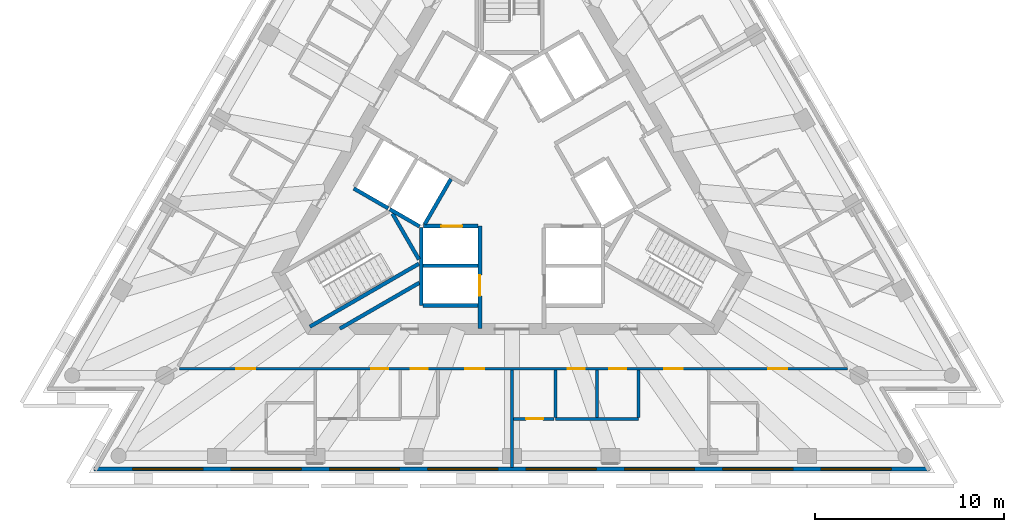
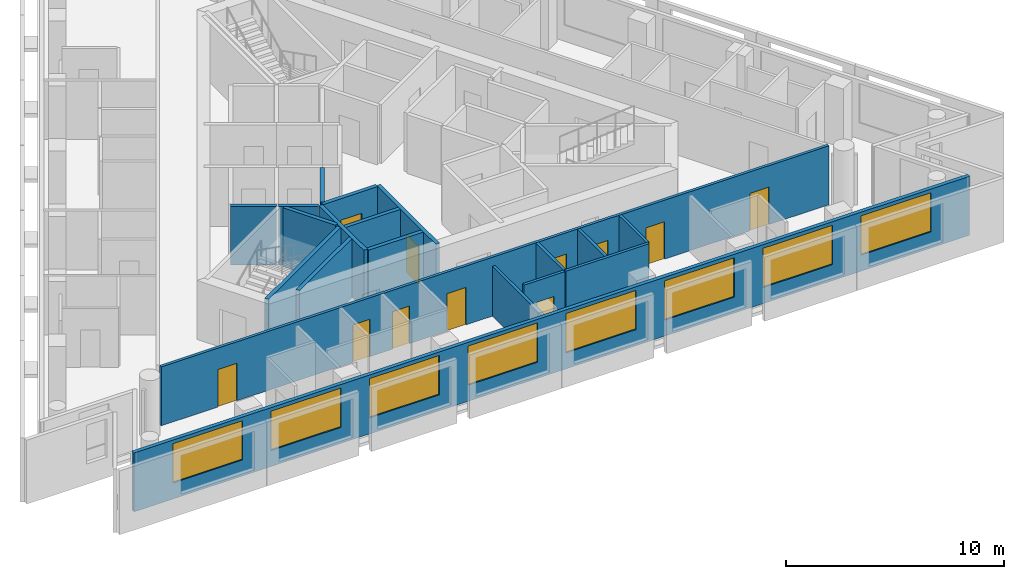
# One storey, part 3 of 10: 19 walls, 11 doors, 8 windows, 19 openings.
"""IFC4 building model written with IfcOpenShell, lengths in metres."""

from ifc_helpers import new_model, si_unit, direction, frame, frame_2d, origin, place, context, subcontext, project, spatial, rectangle, extrude, material, layer, layer_set, layer_usage, type_object, element, fill, save


model = new_model("IFC4")

# Units and contexts
model_context = context("Model", 3, precision=1e-05, world=origin(), true_north=direction((0.0, 1.0)))
body_context = subcontext(model_context, "Body", "Model", "MODEL_VIEW")
ifc_project = project(units=[si_unit("LENGTHUNIT", "METRE"), si_unit("AREAUNIT", "SQUARE_METRE"), si_unit("VOLUMEUNIT", "CUBIC_METRE"), si_unit("PLANEANGLEUNIT", "RADIAN"), si_unit("MASSUNIT", "GRAM", prefix="KILO")], contexts=[model_context])

# Site, building, storey
site_placement = place(None, origin())
site = spatial("IfcSite", under=ifc_project, at=site_placement, CompositionType="ELEMENT")
building_placement = place(site_placement, origin())
building = spatial("IfcBuilding", under=site, at=building_placement, Name="Triada Interchange Tower", CompositionType="ELEMENT")
storey_placement = place(building_placement, frame((0.0, 0.0, 315.10009765625)))
storey = spatial("IfcBuildingStorey", under=building, at=storey_placement, Name="L75", CompositionType="ELEMENT", Elevation=315.10009765625)

# Walls
ifc_material_1 = material(Name="Concrete C30/37", Category="concrete")
ifc_layer_1 = layer(ifc_material_1, 0.199951171875)
ifc_layer_set_1 = layer_set([ifc_layer_1], Name="CORE WALL 200 EI 120")
wall_type_1 = type_object("IfcWallType", Name="CORE WALL 200 EI 120", PredefinedType="SOLIDWALL", material=ifc_layer_set_1)
wall_1_placement = place(storey_placement, frame((-8.3759765625, -0.70703125, 0.0), z_axis=(0.0, 0.0, 1.0), x_axis=(0.866067520717, -0.499927044236, 0.0)))
element("IfcWall", 1, at=wall_1_placement, inside=storey, type_object=wall_type_1, Name="Wall L74 64", PredefinedType="SOLIDWALL", context=body_context, shape_type="SweptSolid", body=[
    extrude(rectangle(XDim=2.100341796875, YDim=0.199951171875, at=frame_2d((1.05029296875, 0.0))), origin(), (0.0, 0.0, 1.0), 3.2998046875),
])
wall_2_placement = place(storey_placement, frame((-4.800048828125, -6.89990234375, 0.0), z_axis=(0.0, 0.0, 1.0), x_axis=(0.0, 1.0, 0.0)))
element("IfcWall", 2, at=wall_2_placement, inside=storey, type_object=wall_type_1, Name="Wall L74 66", PredefinedType="SOLIDWALL", context=body_context, shape_type="SweptSolid", body=[
    extrude(rectangle(XDim=4.130859375, YDim=0.199951171875, at=frame_2d((2.0654296875, 0.0))), origin(), (0.0, 0.0, 1.0), 3.2998046875),
])
for number, where, z_axis, x_axis, name in (
    (3, (-4.699951171875, -6.89990234375, 0.0), (0.0, 0.0, 1.0), (1.0, 0.0, 0.0), "Wall L74 67"),
    (4, (-4.699951171875, -4.800048828125, 0.0), (0.0, 0.0, 1.0), (1.0, 0.0, 0.0), "Wall L74 69"),
):
    element("IfcWall", number, at=place(storey_placement, frame(where, z_axis=z_axis, x_axis=x_axis)), inside=storey, type_object=wall_type_1, Name=name, PredefinedType="SOLIDWALL", context=body_context, shape_type="SweptSolid", body=[
        extrude(rectangle(XDim=2.89990234375, YDim=0.199951171875, at=frame_2d((1.449951171875, 0.0))), origin(), (0.0, 0.0, 1.0), 3.2998046875),
    ])

# Wall, opening, door
wall_3_placement = place(storey_placement, frame((-1.699951171875, -8.1298828125, 0.0), z_axis=(0.0, 0.0, 1.0), x_axis=(0.0, 1.0, 0.0)))
wall_3 = element("IfcWall", 5, at=wall_3_placement, inside=storey, type_object=wall_type_1, Name="Wall L74 71", PredefinedType="SOLIDWALL", context=body_context, shape_type="SweptSolid", body=[
    extrude(rectangle(XDim=5.427001953125, YDim=0.199951171875, at=frame_2d((2.71337890625, 0.0))), origin(), (0.0, 0.0, 1.0), 3.2998046875),
])
opening_1_placement = place(wall_3_placement, frame((1.72998046875, 0.0, 0.0)))
opening_1 = element("IfcOpeningElement", 6, at=opening_1_placement, cuts=wall_3, Name="Opening LD-HR4", PredefinedType="OPENING", context=body_context, shape_type="SweptSolid", body=[
    extrude(rectangle(XDim=1.10009765625, YDim=2.10009765625, at=frame_2d((0.550048828125, 1.050048828125))), frame((0.0, 0.10986328125, 0.0), z_axis=(0.0, -1.0, 0.0), x_axis=(1.0, 0.0, 0.0)), (0.0, 0.0, 1.0), 0.219970703125),
])
ifc_material_2 = material(Name="Steel S235 door leaf", Category="steel")
door_type_1 = type_object("IfcDoorType", Name="LIFT LANDING DOOR 1100 EI 120", OperationType="SLIDING_TO_LEFT", PredefinedType="DOOR", material=ifc_material_2)
door_1_placement = place(opening_1_placement, origin())
door_1 = element("IfcDoor", 7, at=door_1_placement, inside=storey, type_object=door_type_1, Name="HR4 landing door L75", OperationType="SLIDING_TO_LEFT", OverallHeight=2.10009765625, OverallWidth=1.10009765625, PredefinedType="DOOR", context=body_context, shape_type="SweptSolid", body=[
    extrude(rectangle(XDim=1.10009765625, YDim=2.10009765625, at=frame_2d((0.550048828125, 1.050048828125))), frame((0.0, 0.02490234375, 0.0), z_axis=(0.0, -1.0, 0.0), x_axis=(1.0, 0.0, 0.0)), (0.0, 0.0, 1.0), 0.050048828125),
])
fill(opening_1, door_1)

wall_4_placement = place(storey_placement, frame((-4.676025390625, -2.699951171875, 0.0), z_axis=(0.0, 0.0, 1.0), x_axis=(1.0, 0.0, 0.0)))
wall_4 = element("IfcWall", 8, at=wall_4_placement, inside=storey, type_object=wall_type_1, Name="Wall L74 72", PredefinedType="SOLIDWALL", context=body_context, shape_type="SweptSolid", body=[
    extrude(rectangle(XDim=2.873046875, YDim=0.199951171875, at=frame_2d((1.4365234375, 0.0))), origin(), (0.0, 0.0, 1.0), 3.2998046875),
])
opening_2_placement = place(wall_4_placement, frame((0.93701171875, 0.0, 0.0)))
opening_2 = element("IfcOpeningElement", 9, at=opening_2_placement, cuts=wall_4, Name="Opening LD-HR3", PredefinedType="OPENING", context=body_context, shape_type="SweptSolid", body=[
    extrude(rectangle(XDim=1.10009765625, YDim=2.10009765625, at=frame_2d((0.550048828125, 1.050048828125))), frame((0.0, 0.10986328125, 0.0), z_axis=(0.0, -1.0, 0.0), x_axis=(1.0, 0.0, 0.0)), (0.0, 0.0, 1.0), 0.219970703125),
])
door_2_placement = place(opening_2_placement, origin())
door_2 = element("IfcDoor", 10, at=door_2_placement, inside=storey, type_object=door_type_1, Name="HR3 landing door L75", OperationType="SLIDING_TO_LEFT", OverallHeight=2.10009765625, OverallWidth=1.10009765625, PredefinedType="DOOR", context=body_context, shape_type="SweptSolid", body=[
    extrude(rectangle(XDim=1.10009765625, YDim=2.10009765625, at=frame_2d((0.550048828125, 1.050048828125))), frame((0.0, 0.02490234375, 0.0), z_axis=(0.0, -1.0, 0.0), x_axis=(1.0, 0.0, 0.0)), (0.0, 0.0, 1.0), 0.050048828125),
])
fill(opening_2, door_2)

# Walls
ifc_layer_2 = layer(ifc_material_1, 0.199951171875)
ifc_layer_set_2 = layer_set([ifc_layer_2], Name="CORE WALL 200 EI 180")
wall_type_2 = type_object("IfcWallType", Name="CORE WALL 200 EI 180", PredefinedType="SOLIDWALL", material=ifc_layer_set_2)
wall_5_placement = place(storey_placement, frame((-6.469970703125, -1.806884765625, 0.0), z_axis=(0.0, 0.0, 1.0), x_axis=(0.865883195159, -0.500246231712, 0.0)))
element("IfcWall", 11, at=wall_5_placement, inside=storey, type_object=wall_type_2, Name="Shaft wall FF1 L74 97", PredefinedType="SOLIDWALL", context=body_context, shape_type="SweptSolid", body=[
    extrude(rectangle(XDim=1.8154296875, YDim=0.199951171875, at=frame_2d((0.90771484375, 0.0))), origin(), (0.0, 0.0, 1.0), 3.2998046875),
])
wall_6_placement = place(storey_placement, frame((-4.618896484375, -2.60009765625, 0.0), z_axis=(0.0, 0.0, 1.0), x_axis=(0.50009492287, 0.865970593103, 0.0)))
element("IfcWall", 12, at=wall_6_placement, inside=storey, type_object=wall_type_2, Name="Shaft wall FF1 L74 99", PredefinedType="SOLIDWALL", context=body_context, shape_type="SweptSolid", body=[
    extrude(rectangle(XDim=2.76123046875, YDim=0.199951171875, at=frame_2d((1.380615234375, 0.0))), origin(), (0.0, 0.0, 1.0), 3.2998046875),
])
ifc_layer_3 = layer(ifc_material_1, 0.199951171875)
ifc_layer_set_3 = layer_set([ifc_layer_3], Name="CORE WALL 200 EI 90")
wall_type_3 = type_object("IfcWallType", Name="CORE WALL 200 EI 90", PredefinedType="SOLIDWALL", material=ifc_layer_set_3)
wall_7_placement = place(storey_placement, frame((-9.114990234375, -8.1298828125, 0.0), z_axis=(0.0, 0.0, 1.0), x_axis=(0.866002649306, 0.500039409842, 0.0)))
element("IfcWall", 13, at=wall_7_placement, inside=storey, type_object=wall_type_3, Name="Wall L74 104", PredefinedType="SOLIDWALL", context=body_context, shape_type="SweptSolid", body=[
    extrude(rectangle(XDim=4.8671875, YDim=0.199951171875, at=frame_2d((2.43359375, 0.0))), origin(), (0.0, 0.0, 1.0), 3.2998046875),
])
ifc_layer_4 = layer(ifc_material_1, 0.199951171875)
ifc_layer_set_4 = layer_set([ifc_layer_4], Name="CORE WALL 200 REI 240")
wall_type_4 = type_object("IfcWallType", Name="CORE WALL 200 REI 240", PredefinedType="SOLIDWALL", material=ifc_layer_set_4)
wall_8_placement = place(storey_placement, frame((-6.3291015625, -2.0380859375, 0.0), z_axis=(0.0, 0.0, 1.0), x_axis=(0.500200581029, -0.865909567298, 0.0)))
element("IfcWall", 14, at=wall_8_placement, inside=storey, type_object=wall_type_4, Name="Wall L74 111", PredefinedType="SOLIDWALL", context=body_context, shape_type="SweptSolid", body=[
    extrude(rectangle(XDim=2.799072265625, YDim=0.199951171875, at=frame_2d((1.3994140625, 0.0))), origin(), (0.0, 0.0, 1.0), 3.2998046875),
])
wall_9_placement = place(storey_placement, frame((-10.700927734375, -8.02587890625, 0.0), z_axis=(0.0, 0.0, 1.0), x_axis=(0.866005022404, 0.500035299925, 0.0)))
element("IfcWall", 15, at=wall_9_placement, inside=storey, type_object=wall_type_4, Name="Wall L74 112", PredefinedType="SOLIDWALL", context=body_context, shape_type="SweptSolid", body=[
    extrude(rectangle(XDim=6.6650390625, YDim=0.199951171875, at=frame_2d((3.33251953125, 0.0))), origin(), (0.0, 0.0, 1.0), 3.2998046875),
])

# Wall, openings, windows
ifc_material_3 = material(Name="Cement board")
ifc_layer_5 = layer(ifc_material_3, 0.02001953125, Name="Cement board cladding")
ifc_material_4 = material(Name="Sheathing board")
ifc_layer_6 = layer(ifc_material_4, 0.014892578125, Name="Sheathing board")
ifc_material_5 = material(Name="Mineral wool")
ifc_layer_7 = layer(ifc_material_5, 0.14990234375, Name="Mineral wool between steel studs")
ifc_material_6 = material(Name="Gypsum board")
ifc_layer_8 = layer(ifc_material_6, 0.014892578125, Name="Plasterboard lining")
ifc_layer_set_5 = layer_set([ifc_layer_5, ifc_layer_6, ifc_layer_7, ifc_layer_8], Name="External wall 200")
ifc_layer_usage = layer_usage(ifc_layer_set_5, "AXIS2", "POSITIVE", -0.10009765625)
wall_type_5 = type_object("IfcWallType", Name="External wall 200", PredefinedType="ELEMENTEDWALL", material=ifc_layer_set_5)
wall_10_placement = place(storey_placement, frame((-22.132080078125, -15.56298828125, 0.0), z_axis=(0.0, 0.0, 1.0), x_axis=(1.0, 0.0, 0.0)))
wall_10 = element("IfcWall", 16, at=wall_10_placement, inside=storey, type_object=wall_type_5, material=ifc_layer_usage, Name="External wall L75 S", PredefinedType="ELEMENTEDWALL", context=body_context, shape_type="SweptSolid", body=[
    extrude(rectangle(XDim=44.244140625, YDim=0.199951171875, at=frame_2d((22.1220703125, 0.0))), origin(), (0.0, 0.0, 1.0), 3.2998046875),
])
opening_3_placement = place(wall_10_placement, frame((2.056884765625, 0.0, 0.89990234375)))
opening_3 = element("IfcOpeningElement", 17, at=opening_3_placement, cuts=wall_10, Name="Opening WD11", PredefinedType="OPENING", context=body_context, shape_type="SweptSolid", body=[
    extrude(rectangle(XDim=3.699951171875, YDim=2.199951171875, at=frame_2d((1.85009765625, 1.10009765625))), frame((0.0, 0.10986328125, 0.0), z_axis=(0.0, -1.0, 0.0), x_axis=(1.0, 0.0, 0.0)), (0.0, 0.0, 1.0), 0.219970703125),
])
opening_4_placement = place(wall_10_placement, frame((7.263916015625, 0.0, 0.89990234375)))
opening_4 = element("IfcOpeningElement", 18, at=opening_4_placement, cuts=wall_10, Name="Opening WD12", PredefinedType="OPENING", context=body_context, shape_type="SweptSolid", body=[
    extrude(rectangle(XDim=3.699951171875, YDim=2.199951171875, at=frame_2d((1.85009765625, 1.10009765625))), frame((0.0, 0.10986328125, 0.0), z_axis=(0.0, -1.0, 0.0), x_axis=(1.0, 0.0, 0.0)), (0.0, 0.0, 1.0), 0.219970703125),
])
opening_5_placement = place(wall_10_placement, frame((12.470947265625, 0.0, 0.89990234375)))
opening_5 = element("IfcOpeningElement", 19, at=opening_5_placement, cuts=wall_10, Name="Opening WD13", PredefinedType="OPENING", context=body_context, shape_type="SweptSolid", body=[
    extrude(rectangle(XDim=3.699951171875, YDim=2.199951171875, at=frame_2d((1.85009765625, 1.10009765625))), frame((0.0, 0.10986328125, 0.0), z_axis=(0.0, -1.0, 0.0), x_axis=(1.0, 0.0, 0.0)), (0.0, 0.0, 1.0), 0.219970703125),
])
opening_6_placement = place(wall_10_placement, frame((17.677978515625, 0.0, 0.89990234375)))
opening_6 = element("IfcOpeningElement", 20, at=opening_6_placement, cuts=wall_10, Name="Opening WD14", PredefinedType="OPENING", context=body_context, shape_type="SweptSolid", body=[
    extrude(rectangle(XDim=3.699951171875, YDim=2.199951171875, at=frame_2d((1.85009765625, 1.10009765625))), frame((0.0, 0.10986328125, 0.0), z_axis=(0.0, -1.0, 0.0), x_axis=(1.0, 0.0, 0.0)), (0.0, 0.0, 1.0), 0.219970703125),
])
opening_7_placement = place(wall_10_placement, frame((22.885986328125, 0.0, 0.89990234375)))
opening_7 = element("IfcOpeningElement", 21, at=opening_7_placement, cuts=wall_10, Name="Opening WD15", PredefinedType="OPENING", context=body_context, shape_type="SweptSolid", body=[
    extrude(rectangle(XDim=3.699951171875, YDim=2.199951171875, at=frame_2d((1.85009765625, 1.10009765625))), frame((0.0, 0.10986328125, 0.0), z_axis=(0.0, -1.0, 0.0), x_axis=(1.0, 0.0, 0.0)), (0.0, 0.0, 1.0), 0.219970703125),
])
opening_8_placement = place(wall_10_placement, frame((28.093017578125, 0.0, 0.89990234375)))
opening_8 = element("IfcOpeningElement", 22, at=opening_8_placement, cuts=wall_10, Name="Opening WD16", PredefinedType="OPENING", context=body_context, shape_type="SweptSolid", body=[
    extrude(rectangle(XDim=3.699951171875, YDim=2.199951171875, at=frame_2d((1.85009765625, 1.10009765625))), frame((0.0, 0.10986328125, 0.0), z_axis=(0.0, -1.0, 0.0), x_axis=(1.0, 0.0, 0.0)), (0.0, 0.0, 1.0), 0.219970703125),
])
opening_9_placement = place(wall_10_placement, frame((33.300048828125, 0.0, 0.89990234375)))
opening_9 = element("IfcOpeningElement", 23, at=opening_9_placement, cuts=wall_10, Name="Opening WD17", PredefinedType="OPENING", context=body_context, shape_type="SweptSolid", body=[
    extrude(rectangle(XDim=3.699951171875, YDim=2.199951171875, at=frame_2d((1.85009765625, 1.10009765625))), frame((0.0, 0.10986328125, 0.0), z_axis=(0.0, -1.0, 0.0), x_axis=(1.0, 0.0, 0.0)), (0.0, 0.0, 1.0), 0.219970703125),
])
opening_10_placement = place(wall_10_placement, frame((38.507080078125, 0.0, 0.89990234375)))
opening_10 = element("IfcOpeningElement", 24, at=opening_10_placement, cuts=wall_10, Name="Opening WD18", PredefinedType="OPENING", context=body_context, shape_type="SweptSolid", body=[
    extrude(rectangle(XDim=3.699951171875, YDim=2.199951171875, at=frame_2d((1.85009765625, 1.10009765625))), frame((0.0, 0.10986328125, 0.0), z_axis=(0.0, -1.0, 0.0), x_axis=(1.0, 0.0, 0.0)), (0.0, 0.0, 1.0), 0.219970703125),
])
ifc_material_7 = material(Name="Double glazed aluminium window", Category="aluminium")
window_type = type_object("IfcWindowType", Name="Ribbon window D face", PartitioningType="SINGLE_PANEL", PredefinedType="WINDOW", material=ifc_material_7)
window_1_placement = place(opening_3_placement, origin())
window_1 = element("IfcWindow", 25, at=window_1_placement, inside=storey, type_object=window_type, Name="Window L75 S 1", OverallHeight=2.199951171875, OverallWidth=3.699951171875, PartitioningType="SINGLE_PANEL", PredefinedType="WINDOW", context=body_context, shape_type="SweptSolid", body=[
    extrude(rectangle(XDim=3.699951171875, YDim=2.199951171875, at=frame_2d((1.85009765625, 1.10009765625))), frame((0.0, 0.030029296875, 0.0), z_axis=(0.0, -1.0, 0.0), x_axis=(1.0, 0.0, 0.0)), (0.0, 0.0, 1.0), 0.06005859375),
])
fill(opening_3, window_1)
window_2_placement = place(opening_4_placement, origin())
window_2 = element("IfcWindow", 26, at=window_2_placement, inside=storey, type_object=window_type, Name="Window L75 S 2", OverallHeight=2.199951171875, OverallWidth=3.699951171875, PartitioningType="SINGLE_PANEL", PredefinedType="WINDOW", context=body_context, shape_type="SweptSolid", body=[
    extrude(rectangle(XDim=3.699951171875, YDim=2.199951171875, at=frame_2d((1.85009765625, 1.10009765625))), frame((0.0, 0.030029296875, 0.0), z_axis=(0.0, -1.0, 0.0), x_axis=(1.0, 0.0, 0.0)), (0.0, 0.0, 1.0), 0.06005859375),
])
fill(opening_4, window_2)
window_3_placement = place(opening_5_placement, origin())
window_3 = element("IfcWindow", 27, at=window_3_placement, inside=storey, type_object=window_type, Name="Window L75 S 3", OverallHeight=2.199951171875, OverallWidth=3.699951171875, PartitioningType="SINGLE_PANEL", PredefinedType="WINDOW", context=body_context, shape_type="SweptSolid", body=[
    extrude(rectangle(XDim=3.699951171875, YDim=2.199951171875, at=frame_2d((1.85009765625, 1.10009765625))), frame((0.0, 0.030029296875, 0.0), z_axis=(0.0, -1.0, 0.0), x_axis=(1.0, 0.0, 0.0)), (0.0, 0.0, 1.0), 0.06005859375),
])
fill(opening_5, window_3)
window_4_placement = place(opening_6_placement, origin())
window_4 = element("IfcWindow", 28, at=window_4_placement, inside=storey, type_object=window_type, Name="Window L75 S 4", OverallHeight=2.199951171875, OverallWidth=3.699951171875, PartitioningType="SINGLE_PANEL", PredefinedType="WINDOW", context=body_context, shape_type="SweptSolid", body=[
    extrude(rectangle(XDim=3.699951171875, YDim=2.199951171875, at=frame_2d((1.85009765625, 1.10009765625))), frame((0.0, 0.030029296875, 0.0), z_axis=(0.0, -1.0, 0.0), x_axis=(1.0, 0.0, 0.0)), (0.0, 0.0, 1.0), 0.06005859375),
])
fill(opening_6, window_4)
window_5_placement = place(opening_7_placement, origin())
window_5 = element("IfcWindow", 29, at=window_5_placement, inside=storey, type_object=window_type, Name="Window L75 S 5", OverallHeight=2.199951171875, OverallWidth=3.699951171875, PartitioningType="SINGLE_PANEL", PredefinedType="WINDOW", context=body_context, shape_type="SweptSolid", body=[
    extrude(rectangle(XDim=3.699951171875, YDim=2.199951171875, at=frame_2d((1.85009765625, 1.10009765625))), frame((0.0, 0.030029296875, 0.0), z_axis=(0.0, -1.0, 0.0), x_axis=(1.0, 0.0, 0.0)), (0.0, 0.0, 1.0), 0.06005859375),
])
fill(opening_7, window_5)
window_6_placement = place(opening_8_placement, origin())
window_6 = element("IfcWindow", 30, at=window_6_placement, inside=storey, type_object=window_type, Name="Window L75 S 6", OverallHeight=2.199951171875, OverallWidth=3.699951171875, PartitioningType="SINGLE_PANEL", PredefinedType="WINDOW", context=body_context, shape_type="SweptSolid", body=[
    extrude(rectangle(XDim=3.699951171875, YDim=2.199951171875, at=frame_2d((1.85009765625, 1.10009765625))), frame((0.0, 0.030029296875, 0.0), z_axis=(0.0, -1.0, 0.0), x_axis=(1.0, 0.0, 0.0)), (0.0, 0.0, 1.0), 0.06005859375),
])
fill(opening_8, window_6)
window_7_placement = place(opening_9_placement, origin())
window_7 = element("IfcWindow", 31, at=window_7_placement, inside=storey, type_object=window_type, Name="Window L75 S 7", OverallHeight=2.199951171875, OverallWidth=3.699951171875, PartitioningType="SINGLE_PANEL", PredefinedType="WINDOW", context=body_context, shape_type="SweptSolid", body=[
    extrude(rectangle(XDim=3.699951171875, YDim=2.199951171875, at=frame_2d((1.85009765625, 1.10009765625))), frame((0.0, 0.030029296875, 0.0), z_axis=(0.0, -1.0, 0.0), x_axis=(1.0, 0.0, 0.0)), (0.0, 0.0, 1.0), 0.06005859375),
])
fill(opening_9, window_7)
window_8_placement = place(opening_10_placement, origin())
window_8 = element("IfcWindow", 32, at=window_8_placement, inside=storey, type_object=window_type, Name="Window L75 S 8", OverallHeight=2.199951171875, OverallWidth=3.699951171875, PartitioningType="SINGLE_PANEL", PredefinedType="WINDOW", context=body_context, shape_type="SweptSolid", body=[
    extrude(rectangle(XDim=3.699951171875, YDim=2.199951171875, at=frame_2d((1.85009765625, 1.10009765625))), frame((0.0, 0.030029296875, 0.0), z_axis=(0.0, -1.0, 0.0), x_axis=(1.0, 0.0, 0.0)), (0.0, 0.0, 1.0), 0.06005859375),
])
fill(opening_10, window_8)

# Wall, openings, doors
ifc_material_8 = material(Name="Gypsum board partition")
ifc_layer_9 = layer(ifc_material_8, 0.14990234375)
ifc_layer_set_6 = layer_set([ifc_layer_9], Name="PARTITION 150 EI 180")
wall_type_6 = type_object("IfcWallType", Name="PARTITION 150 EI 180", PredefinedType="PARTITIONING", material=ifc_layer_set_6)
wall_11_placement = place(storey_placement, frame((-17.60400390625, -10.25, 0.0), z_axis=(0.0, 0.0, 1.0), x_axis=(1.0, 0.0, 0.0)))
wall_11 = element("IfcWall", 33, at=wall_11_placement, inside=storey, type_object=wall_type_6, Name="Wall L74 5", PredefinedType="PARTITIONING", context=body_context, shape_type="SweptSolid", body=[
    extrude(rectangle(XDim=35.35791015625, YDim=0.14990234375, at=frame_2d((17.678955078125, 0.0))), origin(), (0.0, 0.0, 1.0), 3.2998046875),
])
opening_11_placement = place(wall_11_placement, frame((3.0, 0.0, 0.0)))
opening_11 = element("IfcOpeningElement", 34, at=opening_11_placement, cuts=wall_11, Name="Opening D74-11", PredefinedType="OPENING", context=body_context, shape_type="SweptSolid", body=[
    extrude(rectangle(XDim=1.0, YDim=2.10009765625, at=frame_2d((0.5, 1.050048828125))), frame((0.0, 0.0849609375, 0.0), z_axis=(0.0, -1.0, 0.0), x_axis=(1.0, 0.0, 0.0)), (0.0, 0.0, 1.0), 0.169921875),
])
opening_12_placement = place(wall_11_placement, frame((15.139892578125, 0.0, 0.0)))
opening_12 = element("IfcOpeningElement", 35, at=opening_12_placement, cuts=wall_11, Name="Opening D74-13", PredefinedType="OPENING", context=body_context, shape_type="SweptSolid", body=[
    extrude(rectangle(XDim=1.0, YDim=2.10009765625, at=frame_2d((0.5, 1.050048828125))), frame((0.0, 0.0849609375, 0.0), z_axis=(0.0, -1.0, 0.0), x_axis=(1.0, 0.0, 0.0)), (0.0, 0.0, 1.0), 0.169921875),
])
opening_13_placement = place(wall_11_placement, frame((10.139892578125, 0.0, 0.0)))
opening_13 = element("IfcOpeningElement", 36, at=opening_13_placement, cuts=wall_11, Name="Opening D74-15", PredefinedType="OPENING", context=body_context, shape_type="SweptSolid", body=[
    extrude(rectangle(XDim=0.89990234375, YDim=2.10009765625, at=frame_2d((0.449951171875, 1.050048828125))), frame((0.0, 0.0849609375, 0.0), z_axis=(0.0, -1.0, 0.0), x_axis=(1.0, 0.0, 0.0)), (0.0, 0.0, 1.0), 0.169921875),
])
opening_14_placement = place(wall_11_placement, frame((12.239990234375, 0.0, 0.0)))
opening_14 = element("IfcOpeningElement", 37, at=opening_14_placement, cuts=wall_11, Name="Opening D74-16", PredefinedType="OPENING", context=body_context, shape_type="SweptSolid", body=[
    extrude(rectangle(XDim=0.89990234375, YDim=2.10009765625, at=frame_2d((0.449951171875, 1.050048828125))), frame((0.0, 0.0849609375, 0.0), z_axis=(0.0, -1.0, 0.0), x_axis=(1.0, 0.0, 0.0)), (0.0, 0.0, 1.0), 0.169921875),
])
opening_15_placement = place(wall_11_placement, frame((25.654052734375, 0.0, 0.0)))
opening_15 = element("IfcOpeningElement", 38, at=opening_15_placement, cuts=wall_11, Name="Opening D74-17", PredefinedType="OPENING", context=body_context, shape_type="SweptSolid", body=[
    extrude(rectangle(XDim=1.0, YDim=2.10009765625, at=frame_2d((0.5, 1.050048828125))), frame((0.0, 0.0849609375, 0.0), z_axis=(0.0, -1.0, 0.0), x_axis=(1.0, 0.0, 0.0)), (0.0, 0.0, 1.0), 0.169921875),
])
opening_16_placement = place(wall_11_placement, frame((20.553955078125, 0.0, 0.0)))
opening_16 = element("IfcOpeningElement", 39, at=opening_16_placement, cuts=wall_11, Name="Opening D74-19", PredefinedType="OPENING", context=body_context, shape_type="SweptSolid", body=[
    extrude(rectangle(XDim=0.89990234375, YDim=2.10009765625, at=frame_2d((0.449951171875, 1.050048828125))), frame((0.0, 0.0849609375, 0.0), z_axis=(0.0, -1.0, 0.0), x_axis=(1.0, 0.0, 0.0)), (0.0, 0.0, 1.0), 0.169921875),
])
opening_17_placement = place(wall_11_placement, frame((22.75390625, 0.0, 0.0)))
opening_17 = element("IfcOpeningElement", 40, at=opening_17_placement, cuts=wall_11, Name="Opening D74-20", PredefinedType="OPENING", context=body_context, shape_type="SweptSolid", body=[
    extrude(rectangle(XDim=0.89990234375, YDim=2.10009765625, at=frame_2d((0.449951171875, 1.050048828125))), frame((0.0, 0.0849609375, 0.0), z_axis=(0.0, -1.0, 0.0), x_axis=(1.0, 0.0, 0.0)), (0.0, 0.0, 1.0), 0.169921875),
])
opening_18_placement = place(wall_11_placement, frame((31.16796875, 0.0, 0.0)))
opening_18 = element("IfcOpeningElement", 41, at=opening_18_placement, cuts=wall_11, Name="Opening D74-21", PredefinedType="OPENING", context=body_context, shape_type="SweptSolid", body=[
    extrude(rectangle(XDim=1.0, YDim=2.10009765625, at=frame_2d((0.5, 1.050048828125))), frame((0.0, 0.0849609375, 0.0), z_axis=(0.0, -1.0, 0.0), x_axis=(1.0, 0.0, 0.0)), (0.0, 0.0, 1.0), 0.169921875),
])
door_type_2 = type_object("IfcDoorType", Name="GUEST ROOM DOOR 1000 EI2 90-C5S200", OperationType="NOTDEFINED", PredefinedType="DOOR", material=ifc_material_2)
door_3_placement = place(opening_11_placement, origin())
door_3 = element("IfcDoor", 42, at=door_3_placement, inside=storey, type_object=door_type_2, Name="Door D74-11 L75", OperationType="SINGLE_SWING_RIGHT", OverallHeight=2.10009765625, OverallWidth=1.0, PredefinedType="DOOR", context=body_context, shape_type="SweptSolid", body=[
    extrude(rectangle(XDim=1.0, YDim=2.10009765625, at=frame_2d((0.5, 1.050048828125))), frame((0.0, 0.02490234375, 0.0), z_axis=(0.0, -1.0, 0.0), x_axis=(1.0, 0.0, 0.0)), (0.0, 0.0, 1.0), 0.050048828125),
])
fill(opening_11, door_3)
door_4_placement = place(opening_12_placement, origin())
door_4 = element("IfcDoor", 43, at=door_4_placement, inside=storey, type_object=door_type_2, Name="Door D74-13 L75", OperationType="SINGLE_SWING_LEFT", OverallHeight=2.10009765625, OverallWidth=1.0, PredefinedType="DOOR", context=body_context, shape_type="SweptSolid", body=[
    extrude(rectangle(XDim=1.0, YDim=2.10009765625, at=frame_2d((0.5, 1.050048828125))), frame((0.0, 0.02490234375, 0.0), z_axis=(0.0, -1.0, 0.0), x_axis=(1.0, 0.0, 0.0)), (0.0, 0.0, 1.0), 0.050048828125),
])
fill(opening_12, door_4)
door_5_placement = place(opening_15_placement, origin())
door_5 = element("IfcDoor", 44, at=door_5_placement, inside=storey, type_object=door_type_2, Name="Door D74-17 L75", OperationType="SINGLE_SWING_LEFT", OverallHeight=2.10009765625, OverallWidth=1.0, PredefinedType="DOOR", context=body_context, shape_type="SweptSolid", body=[
    extrude(rectangle(XDim=1.0, YDim=2.10009765625, at=frame_2d((0.5, 1.050048828125))), frame((0.0, 0.02490234375, 0.0), z_axis=(0.0, -1.0, 0.0), x_axis=(1.0, 0.0, 0.0)), (0.0, 0.0, 1.0), 0.050048828125),
])
fill(opening_15, door_5)
door_6_placement = place(opening_18_placement, origin())
door_6 = element("IfcDoor", 45, at=door_6_placement, inside=storey, type_object=door_type_2, Name="Door D74-21 L75", OperationType="SINGLE_SWING_LEFT", OverallHeight=2.10009765625, OverallWidth=1.0, PredefinedType="DOOR", context=body_context, shape_type="SweptSolid", body=[
    extrude(rectangle(XDim=1.0, YDim=2.10009765625, at=frame_2d((0.5, 1.050048828125))), frame((0.0, 0.02490234375, 0.0), z_axis=(0.0, -1.0, 0.0), x_axis=(1.0, 0.0, 0.0)), (0.0, 0.0, 1.0), 0.050048828125),
])
fill(opening_18, door_6)
door_type_3 = type_object("IfcDoorType", Name="ROOM DOOR 900 EI2 90-C5S200", OperationType="NOTDEFINED", PredefinedType="DOOR", material=ifc_material_2)
door_7_placement = place(opening_14_placement, origin())
door_7 = element("IfcDoor", 46, at=door_7_placement, inside=storey, type_object=door_type_3, Name="Door D74-16 L75", OperationType="SINGLE_SWING_RIGHT", OverallHeight=2.10009765625, OverallWidth=0.89990234375, PredefinedType="DOOR", context=body_context, shape_type="SweptSolid", body=[
    extrude(rectangle(XDim=0.89990234375, YDim=2.10009765625, at=frame_2d((0.449951171875, 1.050048828125))), frame((0.0, 0.02490234375, 0.0), z_axis=(0.0, -1.0, 0.0), x_axis=(1.0, 0.0, 0.0)), (0.0, 0.0, 1.0), 0.050048828125),
])
fill(opening_14, door_7)
door_8_placement = place(opening_17_placement, origin())
door_8 = element("IfcDoor", 47, at=door_8_placement, inside=storey, type_object=door_type_3, Name="Door D74-20 L75", OperationType="SINGLE_SWING_RIGHT", OverallHeight=2.10009765625, OverallWidth=0.89990234375, PredefinedType="DOOR", context=body_context, shape_type="SweptSolid", body=[
    extrude(rectangle(XDim=0.89990234375, YDim=2.10009765625, at=frame_2d((0.449951171875, 1.050048828125))), frame((0.0, 0.02490234375, 0.0), z_axis=(0.0, -1.0, 0.0), x_axis=(1.0, 0.0, 0.0)), (0.0, 0.0, 1.0), 0.050048828125),
])
fill(opening_17, door_8)
door_type_4 = type_object("IfcDoorType", Name="SERVICE DOOR 900 EI2 90-C5S200", OperationType="NOTDEFINED", PredefinedType="DOOR", material=ifc_material_2)
door_9_placement = place(opening_13_placement, origin())
door_9 = element("IfcDoor", 48, at=door_9_placement, inside=storey, type_object=door_type_4, Name="Door D74-15 L75", OperationType="SINGLE_SWING_RIGHT", OverallHeight=2.10009765625, OverallWidth=0.89990234375, PredefinedType="DOOR", context=body_context, shape_type="SweptSolid", body=[
    extrude(rectangle(XDim=0.89990234375, YDim=2.10009765625, at=frame_2d((0.449951171875, 1.050048828125))), frame((0.0, 0.02490234375, 0.0), z_axis=(0.0, -1.0, 0.0), x_axis=(1.0, 0.0, 0.0)), (0.0, 0.0, 1.0), 0.050048828125),
])
fill(opening_13, door_9)
door_10_placement = place(opening_16_placement, origin())
door_10 = element("IfcDoor", 49, at=door_10_placement, inside=storey, type_object=door_type_4, Name="Door D74-19 L75", OperationType="SINGLE_SWING_RIGHT", OverallHeight=2.10009765625, OverallWidth=0.89990234375, PredefinedType="DOOR", context=body_context, shape_type="SweptSolid", body=[
    extrude(rectangle(XDim=0.89990234375, YDim=2.10009765625, at=frame_2d((0.449951171875, 1.050048828125))), frame((0.0, 0.02490234375, 0.0), z_axis=(0.0, -1.0, 0.0), x_axis=(1.0, 0.0, 0.0)), (0.0, 0.0, 1.0), 0.050048828125),
])
fill(opening_16, door_10)

# Walls
wall_12_placement = place(storey_placement, frame((2.300048828125, -12.906005859375, 0.0), z_axis=(0.0, 0.0, 1.0), x_axis=(1.0, 0.0, 0.0)))
element("IfcWall", 50, at=wall_12_placement, inside=storey, type_object=wall_type_6, Name="Wall L74 15", PredefinedType="PARTITIONING", context=body_context, shape_type="SweptSolid", body=[
    extrude(rectangle(XDim=4.39990234375, YDim=0.14990234375, at=frame_2d((2.199951171875, 0.0))), origin(), (0.0, 0.0, 1.0), 3.2998046875),
])
wall_13_placement = place(storey_placement, frame((0.0, -15.48291015625, 0.0), z_axis=(0.0, 0.0, 1.0), x_axis=(0.0, 1.0, 0.0)))
element("IfcWall", 51, at=wall_13_placement, inside=storey, type_object=wall_type_6, Name="Wall L74 20", PredefinedType="PARTITIONING", context=body_context, shape_type="SweptSolid", body=[
    extrude(rectangle(XDim=5.157958984375, YDim=0.14990234375, at=frame_2d((2.5791015625, 0.0))), origin(), (0.0, 0.0, 1.0), 2.7998046875),
])
for number, where, z_axis, x_axis, name in (
    (52, (2.300048828125, -12.83203125, 0.0), (0.0, 0.0, 1.0), (0.0, 1.0, 0.0), "Wall L74 23"),
    (53, (6.699951171875, -12.83203125, 0.0), (0.0, 0.0, 1.0), (0.0, 1.0, 0.0), "Wall L74 25"),
    (54, (4.5, -12.83203125, 0.0), (0.0, 0.0, 1.0), (0.0, 1.0, 0.0), "Wall L74 26"),
):
    element("IfcWall", number, at=place(storey_placement, frame(where, z_axis=z_axis, x_axis=x_axis)), inside=storey, type_object=wall_type_6, Name=name, PredefinedType="PARTITIONING", context=body_context, shape_type="SweptSolid", body=[
        extrude(rectangle(XDim=2.507080078125, YDim=0.14990234375, at=frame_2d((1.25341796875, 0.0))), origin(), (0.0, 0.0, 1.0), 3.2998046875),
    ])

# Wall, opening, door
ifc_layer_10 = layer(ifc_material_8, 0.14990234375)
ifc_layer_set_7 = layer_set([ifc_layer_10], Name="PARTITION 150 EI 90")
wall_type_7 = type_object("IfcWallType", Name="PARTITION 150 EI 90", PredefinedType="PARTITIONING", material=ifc_layer_set_7)
wall_14_placement = place(storey_placement, frame((0.074951171875, -12.906005859375, 0.0), z_axis=(0.0, 0.0, 1.0), x_axis=(1.0, 0.0, 0.0)))
wall_14 = element("IfcWall", 55, at=wall_14_placement, inside=storey, type_object=wall_type_7, Name="Wall L74 45", PredefinedType="PARTITIONING", context=body_context, shape_type="SweptSolid", body=[
    extrude(rectangle(XDim=2.152099609375, YDim=0.14990234375, at=frame_2d((1.076171875, 0.0))), origin(), (0.0, 0.0, 1.0), 3.2998046875),
])
opening_19_placement = place(wall_14_placement, frame((0.675048828125, 0.0, 0.0)))
opening_19 = element("IfcOpeningElement", 56, at=opening_19_placement, cuts=wall_14, Name="Opening D74-18", PredefinedType="OPENING", context=body_context, shape_type="SweptSolid", body=[
    extrude(rectangle(XDim=0.89990234375, YDim=2.10009765625, at=frame_2d((0.449951171875, 1.050048828125))), frame((0.0, 0.0849609375, 0.0), z_axis=(0.0, -1.0, 0.0), x_axis=(1.0, 0.0, 0.0)), (0.0, 0.0, 1.0), 0.169921875),
])
door_type_5 = type_object("IfcDoorType", Name="ROOM DOOR 900 EI2 45-C5S200", OperationType="NOTDEFINED", PredefinedType="DOOR", material=ifc_material_2)
door_11_placement = place(opening_19_placement, origin())
door_11 = element("IfcDoor", 57, at=door_11_placement, inside=storey, type_object=door_type_5, Name="Door D74-18 L75", OperationType="SINGLE_SWING_LEFT", OverallHeight=2.10009765625, OverallWidth=0.89990234375, PredefinedType="DOOR", context=body_context, shape_type="SweptSolid", body=[
    extrude(rectangle(XDim=0.89990234375, YDim=2.10009765625, at=frame_2d((0.449951171875, 1.050048828125))), frame((0.0, 0.02490234375, 0.0), z_axis=(0.0, -1.0, 0.0), x_axis=(1.0, 0.0, 0.0)), (0.0, 0.0, 1.0), 0.050048828125),
])
fill(opening_19, door_11)

save(model, "model.ifc")
